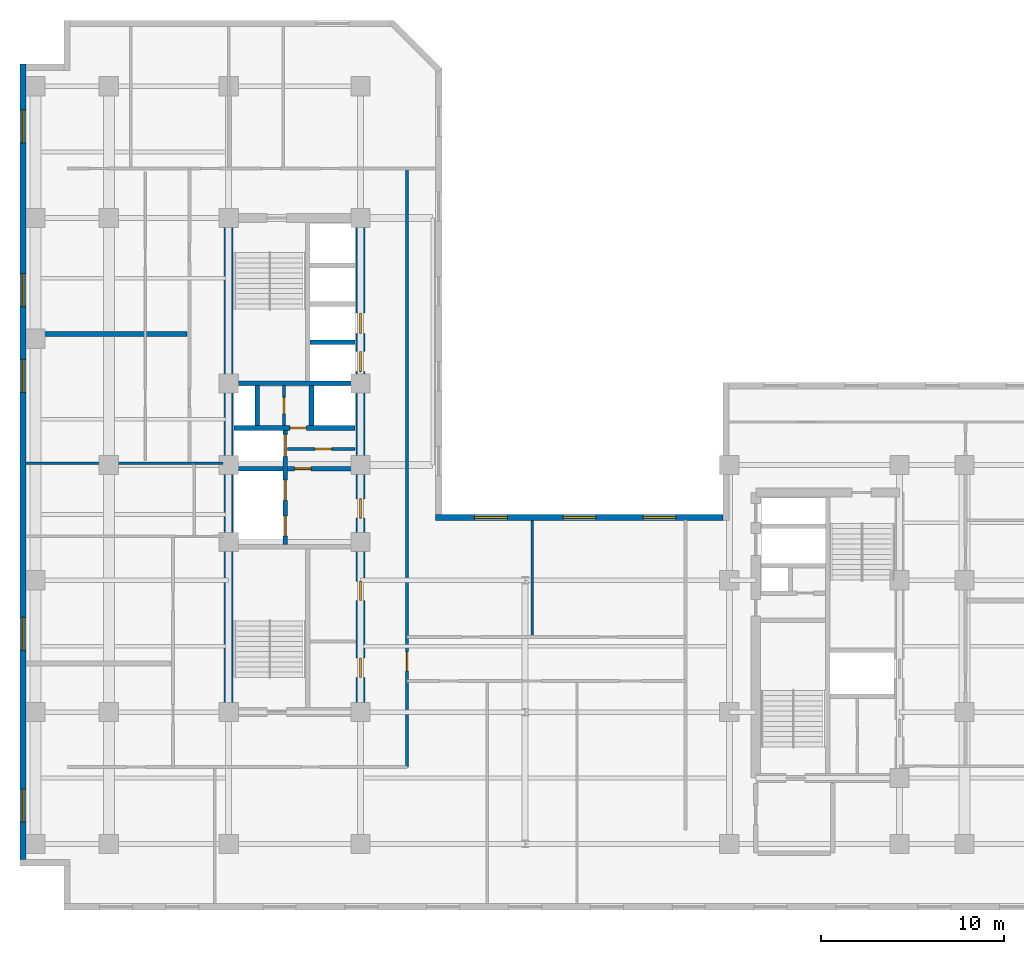
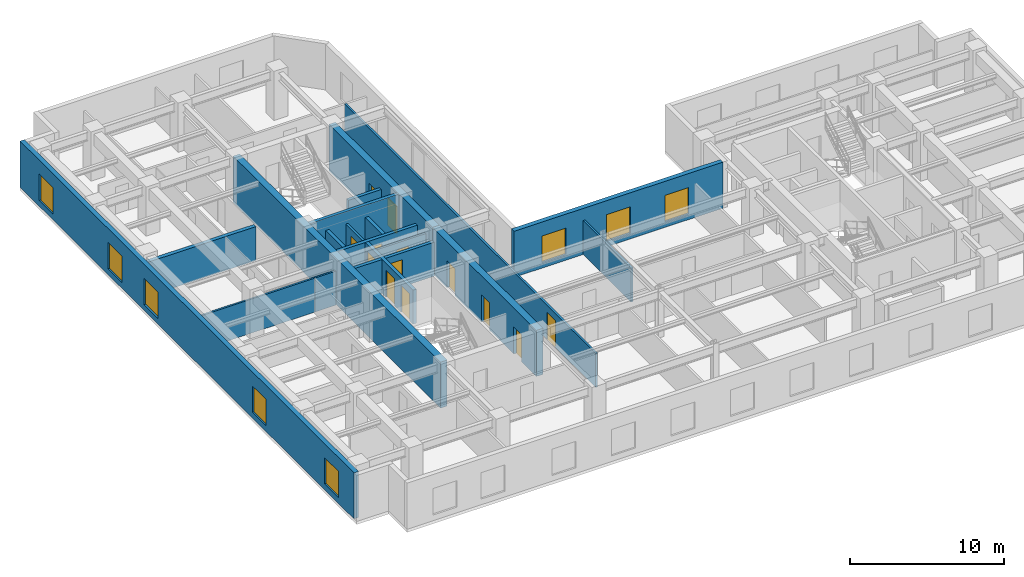
# One storey, part 4 of 10: 19 walls, 13 doors, 8 windows, 21 openings.
"""IFC4 building model written with IfcOpenShell, lengths in metres."""

from ifc_helpers import new_model, entity, si_unit, converted_unit, direction, frame, origin_with_axes, origin_2d_with_axis, place, context, subcontext, project, spatial, polyline, rectangle, outline, extrude, material, layer, layer_set, type_object, element, fill, save


model = new_model("IFC4")

# Units and contexts
model_context = context("Model", 3, precision=1e-05, world=origin_with_axes(), true_north=direction((0.0, 1.0)))
body_context = subcontext(model_context, "Body", "Model", "MODEL_VIEW")
ifc_project = project(units=[si_unit("LENGTHUNIT", "METRE"), si_unit("AREAUNIT", "SQUARE_METRE"), si_unit("VOLUMEUNIT", "CUBIC_METRE"), converted_unit("PLANEANGLEUNIT", "DEGREE", entity("IfcPlaneAngleMeasure", 0.017453292519943295), si_unit("PLANEANGLEUNIT", "RADIAN"), dimensions=[0, 0, 0, 0, 0, 0, 0]), si_unit("MASSUNIT", "GRAM", prefix="KILO"), si_unit("THERMODYNAMICTEMPERATUREUNIT", "KELVIN")], contexts=[model_context])

# Site, building, storey
site_placement = place(None, origin_with_axes())
site = spatial("IfcSite", under=ifc_project, at=site_placement, CompositionType="ELEMENT")
building_placement = place(site_placement, origin_with_axes())
building = spatial("IfcBuilding", under=site, at=building_placement, Name="Varnlund Millrace Tower", CompositionType="ELEMENT")
storey_placement = place(building_placement, frame((0.0, 0.0, 156.3), z_axis=(0.0, 0.0, 1.0), x_axis=(1.0, 0.0, 0.0)))
storey = spatial("IfcBuildingStorey", under=building, at=storey_placement, Name="L38", CompositionType="ELEMENT", Elevation=156.3)

# Wall
ifc_material_1 = material(Name="Concrete C70/85", Category="concrete")
ifc_layer_1 = layer(ifc_material_1, 0.5, Name="Concrete C70/85")
ifc_layer_set_1 = layer_set([ifc_layer_1], Name="Concrete C70/85")
wall_type_1 = type_object("IfcWallType", Name="Type-CoreWall-Shear-500-C70", PredefinedType="SHEAR", material=ifc_layer_set_1)
wall_1_placement = place(storey_placement, frame((11.4, 10.8, 0.0), z_axis=(0.0, 0.0, 1.0), x_axis=(0.0, 1.0, 0.0)))
element("IfcWall", 1, at=wall_1_placement, inside=storey, type_object=wall_type_1, Name="Type-CoreWall-Shear-500-C70", PredefinedType="SHEAR", context=body_context, shape_type="SweptSolid", body=[
    extrude(outline(polyline([(0.0, -0.25), (27.0, -0.25), (27.0, 0.25), (0.0, 0.25), (0.0, -0.25)])), origin_with_axes(), (0.0, 0.0, 1.0), 3.66),
])

# Wall, openings, doors
wall_2_placement = place(storey_placement, frame((18.6, 10.8, 0.0), z_axis=(0.0, 0.0, 1.0), x_axis=(0.0, 1.0, 0.0)))
wall_2 = element("IfcWall", 2, at=wall_2_placement, inside=storey, type_object=wall_type_1, Name="Type-CoreWall-Shear-500-C70", PredefinedType="SHEAR", context=body_context, shape_type="SweptSolid", body=[
    extrude(outline(polyline([(0.0, -0.25), (13.5, -0.25), (13.5, 0.25), (0.0, 0.25), (0.0, -0.25)])), origin_with_axes(), (0.0, 0.0, 1.0), 3.66),
])
opening_1_placement = place(wall_2_placement, frame((11.125, 0.0, 0.0), z_axis=(0.0, 0.0, 1.0), x_axis=(1.0, 0.0, 0.0)))
opening_1 = element("IfcOpeningElement", 3, at=opening_1_placement, cuts=wall_2, Name="Opening L38:DR-FFLOB-A", PredefinedType="OPENING", context=body_context, shape_type="SweptSolid", body=[
    extrude(rectangle(XDim=1.05, YDim=0.52, at=origin_2d_with_axis()), origin_with_axes(), (0.0, 0.0, 1.0), 2.15),
])
opening_2_placement = place(wall_2_placement, frame((2.425, 0.0, 0.0), z_axis=(0.0, 0.0, 1.0), x_axis=(1.0, 0.0, 0.0)))
opening_2 = element("IfcOpeningElement", 4, at=opening_2_placement, cuts=wall_2, Name="Opening L38:DR-RECL-A1-1", PredefinedType="OPENING", context=body_context, shape_type="SweptSolid", body=[
    extrude(rectangle(XDim=1.05, YDim=0.52, at=origin_2d_with_axis()), origin_with_axes(), (0.0, 0.0, 1.0), 2.15),
])
opening_3_placement = place(wall_2_placement, frame((6.625, 0.0, 0.0), z_axis=(0.0, 0.0, 1.0), x_axis=(1.0, 0.0, 0.0)))
opening_3 = element("IfcOpeningElement", 5, at=opening_3_placement, cuts=wall_2, Name="Opening L38:DR-RECL-A1-2", PredefinedType="OPENING", context=body_context, shape_type="SweptSolid", body=[
    extrude(rectangle(XDim=1.05, YDim=0.52, at=origin_2d_with_axis()), origin_with_axes(), (0.0, 0.0, 1.0), 2.15),
])
ifc_material_2 = material(Name="Smoke-barrier hollow steel fire door", Category="steel")
door_type_1 = type_object("IfcDoorType", Name="Type-FireDoor-Lobby-1050X2150", OperationType="NOTDEFINED", PredefinedType="DOOR", material=ifc_material_2)
door_1_placement = place(wall_2_placement, frame((11.125, 0.0, 0.0), z_axis=(0.0, 0.0, 1.0), x_axis=(1.0, 0.0, 0.0)))
door_1 = element("IfcDoor", 6, at=door_1_placement, inside=storey, type_object=door_type_1, Name="Type-FireDoor-Lobby-1050X2150", OperationType="SINGLE_SWING_LEFT", OverallHeight=2.15, OverallWidth=1.05, PredefinedType="DOOR", context=body_context, shape_type="SweptSolid", body=[
    extrude(rectangle(XDim=1.05, YDim=0.09, at=origin_2d_with_axis()), origin_with_axes(), (0.0, 0.0, 1.0), 2.15),
])
fill(opening_1, door_1)
door_2_placement = place(wall_2_placement, frame((2.425, 0.0, 0.0), z_axis=(0.0, 0.0, 1.0), x_axis=(1.0, 0.0, 0.0)))
door_2 = element("IfcDoor", 7, at=door_2_placement, inside=storey, type_object=door_type_1, Name="Type-FireDoor-Lobby-1050X2150", OperationType="SINGLE_SWING_LEFT", OverallHeight=2.15, OverallWidth=1.05, PredefinedType="DOOR", context=body_context, shape_type="SweptSolid", body=[
    extrude(rectangle(XDim=1.05, YDim=0.09, at=origin_2d_with_axis()), origin_with_axes(), (0.0, 0.0, 1.0), 2.15),
])
fill(opening_2, door_2)
door_3_placement = place(wall_2_placement, frame((6.625, 0.0, 0.0), z_axis=(0.0, 0.0, 1.0), x_axis=(1.0, 0.0, 0.0)))
door_3 = element("IfcDoor", 8, at=door_3_placement, inside=storey, type_object=door_type_1, Name="Type-FireDoor-Lobby-1050X2150", OperationType="SINGLE_SWING_RIGHT", OverallHeight=2.15, OverallWidth=1.05, PredefinedType="DOOR", context=body_context, shape_type="SweptSolid", body=[
    extrude(rectangle(XDim=1.05, YDim=0.09, at=origin_2d_with_axis()), origin_with_axes(), (0.0, 0.0, 1.0), 2.15),
])
fill(opening_3, door_3)

wall_3_placement = place(storey_placement, frame((18.6, 24.3, 0.0), z_axis=(0.0, 0.0, 1.0), x_axis=(0.0, 1.0, 0.0)))
wall_3 = element("IfcWall", 9, at=wall_3_placement, inside=storey, type_object=wall_type_1, Name="Type-CoreWall-Shear-500-C70", PredefinedType="SHEAR", context=body_context, shape_type="SweptSolid", body=[
    extrude(outline(polyline([(0.0, -0.25), (13.5, -0.25), (13.5, 0.25), (0.0, 0.25), (0.0, -0.25)])), origin_with_axes(), (0.0, 0.0, 1.0), 3.66),
])
opening_4_placement = place(wall_3_placement, frame((5.65, 0.0, 0.0), z_axis=(0.0, 0.0, 1.0), x_axis=(1.0, 0.0, 0.0)))
opening_4 = element("IfcOpeningElement", 10, at=opening_4_placement, cuts=wall_3, Name="Opening L38:LD-ELV-M1", PredefinedType="OPENING", context=body_context, shape_type="SweptSolid", body=[
    extrude(rectangle(XDim=1.1, YDim=0.52, at=origin_2d_with_axis()), origin_with_axes(), (0.0, 0.0, 1.0), 2.15),
])
opening_5_placement = place(wall_3_placement, frame((7.75, 0.0, 0.0), z_axis=(0.0, 0.0, 1.0), x_axis=(1.0, 0.0, 0.0)))
opening_5 = element("IfcOpeningElement", 11, at=opening_5_placement, cuts=wall_3, Name="Opening L38:LD-ELV-M2", PredefinedType="OPENING", context=body_context, shape_type="SweptSolid", body=[
    extrude(rectangle(XDim=1.1, YDim=0.52, at=origin_2d_with_axis()), origin_with_axes(), (0.0, 0.0, 1.0), 2.15),
])
ifc_material_3 = material(Name="Stainless and architectural bronze sliding landing door")
door_type_2 = type_object("IfcDoorType", Name="Type-LiftLandingDoor-1100X2150", OperationType="NOTDEFINED", PredefinedType="DOOR", material=ifc_material_3)
door_4_placement = place(wall_3_placement, frame((5.65, 0.0, 0.0), z_axis=(0.0, 0.0, 1.0), x_axis=(1.0, 0.0, 0.0)))
door_4 = element("IfcDoor", 12, at=door_4_placement, inside=storey, type_object=door_type_2, Name="Type-LiftLandingDoor-1100X2150", OperationType="SLIDING_TO_LEFT", OverallHeight=2.15, OverallWidth=1.1, PredefinedType="DOOR", context=body_context, shape_type="SweptSolid", body=[
    extrude(rectangle(XDim=1.1, YDim=0.09, at=origin_2d_with_axis()), origin_with_axes(), (0.0, 0.0, 1.0), 2.15),
])
fill(opening_4, door_4)
door_5_placement = place(wall_3_placement, frame((7.75, 0.0, 0.0), z_axis=(0.0, 0.0, 1.0), x_axis=(1.0, 0.0, 0.0)))
door_5 = element("IfcDoor", 13, at=door_5_placement, inside=storey, type_object=door_type_2, Name="Type-LiftLandingDoor-1100X2150", OperationType="SLIDING_TO_RIGHT", OverallHeight=2.15, OverallWidth=1.1, PredefinedType="DOOR", context=body_context, shape_type="SweptSolid", body=[
    extrude(rectangle(XDim=1.1, YDim=0.09, at=origin_2d_with_axis()), origin_with_axes(), (0.0, 0.0, 1.0), 2.15),
])
fill(opening_5, door_5)

# Wall, openings, windows
ifc_material_4 = material(Name="Precast concrete C50/60", Category="concrete")
ifc_layer_2 = layer(ifc_material_4, 0.34, Name="Precast concrete C50/60")
ifc_layer_set_2 = layer_set([ifc_layer_2], Name="Precast concrete C50/60")
wall_type_2 = type_object("IfcWallType", Name="Type-ExtWall-Precast-Upper-340", PredefinedType="SOLIDWALL", material=ifc_layer_set_2)
wall_4_placement = place(storey_placement, frame((0.17, 2.74, 0.0), z_axis=(0.0, 0.0, 1.0), x_axis=(0.0, 1.0, 0.0)))
wall_4 = element("IfcWall", 14, at=wall_4_placement, inside=storey, type_object=wall_type_2, Name="Type-ExtWall-Precast-Upper-340", PredefinedType="SOLIDWALL", context=body_context, shape_type="SweptSolid", body=[
    extrude(outline(polyline([(0.0, -0.17), (43.46, -0.17), (43.46, 0.17), (0.0, 0.17), (0.0, -0.17)])), origin_with_axes(), (0.0, 0.0, 1.0), 3.66),
])
opening_6_placement = place(wall_4_placement, frame((2.948, 0.0, 0.45), z_axis=(0.0, 0.0, 1.0), x_axis=(1.0, 0.0, 0.0)))
opening_6 = element("IfcOpeningElement", 15, at=opening_6_placement, cuts=wall_4, Name="Opening L38:WN-19", PredefinedType="OPENING", context=body_context, shape_type="SweptSolid", body=[
    extrude(rectangle(XDim=1.8, YDim=0.36, at=origin_2d_with_axis()), origin_with_axes(), (0.0, 0.0, 1.0), 2.1),
])
opening_7_placement = place(wall_4_placement, frame((12.339, 0.0, 0.45), z_axis=(0.0, 0.0, 1.0), x_axis=(1.0, 0.0, 0.0)))
opening_7 = element("IfcOpeningElement", 16, at=opening_7_placement, cuts=wall_4, Name="Opening L38:WN-20", PredefinedType="OPENING", context=body_context, shape_type="SweptSolid", body=[
    extrude(rectangle(XDim=1.8, YDim=0.36, at=origin_2d_with_axis()), origin_with_axes(), (0.0, 0.0, 1.0), 2.1),
])
opening_8_placement = place(wall_4_placement, frame((26.426, 0.0, 0.45), z_axis=(0.0, 0.0, 1.0), x_axis=(1.0, 0.0, 0.0)))
opening_8 = element("IfcOpeningElement", 17, at=opening_8_placement, cuts=wall_4, Name="Opening L38:WN-21", PredefinedType="OPENING", context=body_context, shape_type="SweptSolid", body=[
    extrude(rectangle(XDim=1.8, YDim=0.36, at=origin_2d_with_axis()), origin_with_axes(), (0.0, 0.0, 1.0), 2.1),
])
opening_9_placement = place(wall_4_placement, frame((31.121, 0.0, 0.45), z_axis=(0.0, 0.0, 1.0), x_axis=(1.0, 0.0, 0.0)))
opening_9 = element("IfcOpeningElement", 18, at=opening_9_placement, cuts=wall_4, Name="Opening L38:WN-22", PredefinedType="OPENING", context=body_context, shape_type="SweptSolid", body=[
    extrude(rectangle(XDim=1.8, YDim=0.36, at=origin_2d_with_axis()), origin_with_axes(), (0.0, 0.0, 1.0), 2.1),
])
opening_10_placement = place(wall_4_placement, frame((40.062, 0.0, 0.45), z_axis=(0.0, 0.0, 1.0), x_axis=(1.0, 0.0, 0.0)))
opening_10 = element("IfcOpeningElement", 19, at=opening_10_placement, cuts=wall_4, Name="Opening L38:WN-23", PredefinedType="OPENING", context=body_context, shape_type="SweptSolid", body=[
    extrude(rectangle(XDim=1.8, YDim=0.36, at=origin_2d_with_axis()), origin_with_axes(), (0.0, 0.0, 1.0), 2.1),
])
ifc_material_5 = material(Name="Argon low-e triple glazing in thermally broken bronze frame", Category="glass")
window_type = type_object("IfcWindowType", Name="Type-Window-Punched-1800X2100", PartitioningType="SINGLE_PANEL", PredefinedType="WINDOW", material=ifc_material_5)
window_1_placement = place(wall_4_placement, frame((2.948, 0.0, 0.45), z_axis=(0.0, 0.0, 1.0), x_axis=(1.0, 0.0, 0.0)))
window_1 = element("IfcWindow", 20, at=window_1_placement, inside=storey, type_object=window_type, Name="Type-Window-Punched-1800X2100", OverallHeight=2.1, OverallWidth=1.8, PredefinedType="WINDOW", context=body_context, shape_type="SweptSolid", body=[
    extrude(rectangle(XDim=1.8, YDim=0.09, at=origin_2d_with_axis()), origin_with_axes(), (0.0, 0.0, 1.0), 2.1),
])
fill(opening_6, window_1)
window_2_placement = place(wall_4_placement, frame((12.339, 0.0, 0.45), z_axis=(0.0, 0.0, 1.0), x_axis=(1.0, 0.0, 0.0)))
window_2 = element("IfcWindow", 21, at=window_2_placement, inside=storey, type_object=window_type, Name="Type-Window-Punched-1800X2100", OverallHeight=2.1, OverallWidth=1.8, PredefinedType="WINDOW", context=body_context, shape_type="SweptSolid", body=[
    extrude(rectangle(XDim=1.8, YDim=0.09, at=origin_2d_with_axis()), origin_with_axes(), (0.0, 0.0, 1.0), 2.1),
])
fill(opening_7, window_2)
window_3_placement = place(wall_4_placement, frame((26.426, 0.0, 0.45), z_axis=(0.0, 0.0, 1.0), x_axis=(1.0, 0.0, 0.0)))
window_3 = element("IfcWindow", 22, at=window_3_placement, inside=storey, type_object=window_type, Name="Type-Window-Punched-1800X2100", OverallHeight=2.1, OverallWidth=1.8, PredefinedType="WINDOW", context=body_context, shape_type="SweptSolid", body=[
    extrude(rectangle(XDim=1.8, YDim=0.09, at=origin_2d_with_axis()), origin_with_axes(), (0.0, 0.0, 1.0), 2.1),
])
fill(opening_8, window_3)
window_4_placement = place(wall_4_placement, frame((31.121, 0.0, 0.45), z_axis=(0.0, 0.0, 1.0), x_axis=(1.0, 0.0, 0.0)))
window_4 = element("IfcWindow", 23, at=window_4_placement, inside=storey, type_object=window_type, Name="Type-Window-Punched-1800X2100", OverallHeight=2.1, OverallWidth=1.8, PredefinedType="WINDOW", context=body_context, shape_type="SweptSolid", body=[
    extrude(rectangle(XDim=1.8, YDim=0.09, at=origin_2d_with_axis()), origin_with_axes(), (0.0, 0.0, 1.0), 2.1),
])
fill(opening_9, window_4)
window_5_placement = place(wall_4_placement, frame((40.062, 0.0, 0.45), z_axis=(0.0, 0.0, 1.0), x_axis=(1.0, 0.0, 0.0)))
window_5 = element("IfcWindow", 24, at=window_5_placement, inside=storey, type_object=window_type, Name="Type-Window-Punched-1800X2100", OverallHeight=2.1, OverallWidth=1.8, PredefinedType="WINDOW", context=body_context, shape_type="SweptSolid", body=[
    extrude(rectangle(XDim=1.8, YDim=0.09, at=origin_2d_with_axis()), origin_with_axes(), (0.0, 0.0, 1.0), 2.1),
])
fill(opening_10, window_5)

wall_5_placement = place(storey_placement, frame((22.712, 21.43, 0.0), z_axis=(0.0, 0.0, 1.0), x_axis=(1.0, 0.0, 0.0)))
wall_5 = element("IfcWall", 25, at=wall_5_placement, inside=storey, type_object=wall_type_2, Name="Type-ExtWall-Precast-Upper-340", PredefinedType="SOLIDWALL", context=body_context, shape_type="SweptSolid", body=[
    extrude(outline(polyline([(0.0, -0.17), (15.688, -0.17), (15.688, 0.17), (0.0, 0.17), (0.0, -0.17)])), origin_with_axes(), (0.0, 0.0, 1.0), 3.66),
])
opening_11_placement = place(wall_5_placement, frame((3.015, 0.0, 0.45), z_axis=(0.0, 0.0, 1.0), x_axis=(1.0, 0.0, 0.0)))
opening_11 = element("IfcOpeningElement", 26, at=opening_11_placement, cuts=wall_5, Name="Opening L38:WN-30", PredefinedType="OPENING", context=body_context, shape_type="SweptSolid", body=[
    extrude(rectangle(XDim=1.8, YDim=0.36, at=origin_2d_with_axis()), origin_with_axes(), (0.0, 0.0, 1.0), 2.1),
])
opening_12_placement = place(wall_5_placement, frame((7.844, 0.0, 0.45), z_axis=(0.0, 0.0, 1.0), x_axis=(1.0, 0.0, 0.0)))
opening_12 = element("IfcOpeningElement", 27, at=opening_12_placement, cuts=wall_5, Name="Opening L38:WN-31", PredefinedType="OPENING", context=body_context, shape_type="SweptSolid", body=[
    extrude(rectangle(XDim=1.8, YDim=0.36, at=origin_2d_with_axis()), origin_with_axes(), (0.0, 0.0, 1.0), 2.1),
])
opening_13_placement = place(wall_5_placement, frame((12.223, 0.0, 0.45), z_axis=(0.0, 0.0, 1.0), x_axis=(1.0, 0.0, 0.0)))
opening_13 = element("IfcOpeningElement", 28, at=opening_13_placement, cuts=wall_5, Name="Opening L38:WN-32", PredefinedType="OPENING", context=body_context, shape_type="SweptSolid", body=[
    extrude(rectangle(XDim=1.8, YDim=0.36, at=origin_2d_with_axis()), origin_with_axes(), (0.0, 0.0, 1.0), 2.1),
])
window_6_placement = place(wall_5_placement, frame((3.015, 0.0, 0.45), z_axis=(0.0, 0.0, 1.0), x_axis=(1.0, 0.0, 0.0)))
window_6 = element("IfcWindow", 29, at=window_6_placement, inside=storey, type_object=window_type, Name="Type-Window-Punched-1800X2100", OverallHeight=2.1, OverallWidth=1.8, PredefinedType="WINDOW", context=body_context, shape_type="SweptSolid", body=[
    extrude(rectangle(XDim=1.8, YDim=0.09, at=origin_2d_with_axis()), origin_with_axes(), (0.0, 0.0, 1.0), 2.1),
])
fill(opening_11, window_6)
window_7_placement = place(wall_5_placement, frame((7.844, 0.0, 0.45), z_axis=(0.0, 0.0, 1.0), x_axis=(1.0, 0.0, 0.0)))
window_7 = element("IfcWindow", 30, at=window_7_placement, inside=storey, type_object=window_type, Name="Type-Window-Punched-1800X2100", OverallHeight=2.1, OverallWidth=1.8, PredefinedType="WINDOW", context=body_context, shape_type="SweptSolid", body=[
    extrude(rectangle(XDim=1.8, YDim=0.09, at=origin_2d_with_axis()), origin_with_axes(), (0.0, 0.0, 1.0), 2.1),
])
fill(opening_12, window_7)
window_8_placement = place(wall_5_placement, frame((12.223, 0.0, 0.45), z_axis=(0.0, 0.0, 1.0), x_axis=(1.0, 0.0, 0.0)))
window_8 = element("IfcWindow", 31, at=window_8_placement, inside=storey, type_object=window_type, Name="Type-Window-Punched-1800X2100", OverallHeight=2.1, OverallWidth=1.8, PredefinedType="WINDOW", context=body_context, shape_type="SweptSolid", body=[
    extrude(rectangle(XDim=1.8, YDim=0.09, at=origin_2d_with_axis()), origin_with_axes(), (0.0, 0.0, 1.0), 2.1),
])
fill(opening_13, window_8)

# Wall
ifc_material_6 = material(Name="Double-stud STC-60 conference acoustic partition", Category="gypsum")
ifc_layer_3 = layer(ifc_material_6, 0.28, Name="Double-stud STC-60 conference acoustic partition")
ifc_layer_set_3 = layer_set([ifc_layer_3], Name="Double-stud STC-60 conference acoustic partition")
wall_type_3 = type_object("IfcWallType", Name="Type-Partition-Acoustic-280", PredefinedType="PARTITIONING", material=ifc_layer_set_3)
wall_6_placement = place(storey_placement, frame((0.335, 31.455, 0.0), z_axis=(0.0, 0.0, 1.0), x_axis=(1.0, 0.0, 0.0)))
element("IfcWall", 32, at=wall_6_placement, inside=storey, type_object=wall_type_3, Name="Type-Partition-Acoustic-280", PredefinedType="PARTITIONING", context=body_context, shape_type="SweptSolid", body=[
    extrude(outline(polyline([(0.0, -0.14), (8.795, -0.14), (8.795, 0.14), (0.0, 0.14), (0.0, -0.14)])), origin_with_axes(), (0.0, 0.0, 1.0), 2.7),
])

# Wall, opening, door
ifc_material_7 = material(Name="Fire-rated gypsum board on cold-formed steel framing", Category="steel")
ifc_layer_4 = layer(ifc_material_7, 0.16, Name="Fire-rated gypsum board on cold-formed steel framing")
ifc_layer_set_4 = layer_set([ifc_layer_4], Name="Fire-rated gypsum board on cold-formed steel framing")
wall_type_4 = type_object("IfcWallType", Name="Type-Partition-Corridor-160", PredefinedType="PARTITIONING", material=ifc_layer_set_4)
wall_7_placement = place(storey_placement, frame((14.62, 25.18, 0.0), z_axis=(0.0, 0.0, 1.0), x_axis=(1.0, 0.0, 0.0)))
wall_7 = element("IfcWall", 33, at=wall_7_placement, inside=storey, type_object=wall_type_4, Name="Type-Partition-Corridor-160", PredefinedType="PARTITIONING", context=body_context, shape_type="SweptSolid", body=[
    extrude(outline(polyline([(0.0, -0.08), (3.68, -0.08), (3.68, 0.08), (0.0, 0.08), (0.0, -0.08)])), origin_with_axes(), (0.0, 0.0, 1.0), 2.7),
])
opening_14_placement = place(wall_7_placement, frame((1.95, 0.0, 0.0), z_axis=(0.0, 0.0, 1.0), x_axis=(1.0, 0.0, 0.0)))
opening_14 = element("IfcOpeningElement", 34, at=opening_14_placement, cuts=wall_7, Name="Opening L38:DR-CA-SUB2", PredefinedType="OPENING", context=body_context, shape_type="SweptSolid", body=[
    extrude(rectangle(XDim=0.9, YDim=0.18, at=origin_2d_with_axis()), origin_with_axes(), (0.0, 0.0, 1.0), 2.15),
])
ifc_material_8 = material(Name="Painted steel riser and closet door", Category="steel")
door_type_3 = type_object("IfcDoorType", Name="Type-IntDoor-Closet-900X2150", OperationType="NOTDEFINED", PredefinedType="DOOR", material=ifc_material_8)
door_6_placement = place(wall_7_placement, frame((1.95, 0.0, 0.0), z_axis=(0.0, 0.0, 1.0), x_axis=(1.0, 0.0, 0.0)))
door_6 = element("IfcDoor", 35, at=door_6_placement, inside=storey, type_object=door_type_3, Name="Type-IntDoor-Closet-900X2150", OperationType="SINGLE_SWING_LEFT", OverallHeight=2.15, OverallWidth=0.9, PredefinedType="DOOR", context=body_context, shape_type="SweptSolid", body=[
    extrude(rectangle(XDim=0.9, YDim=0.09, at=origin_2d_with_axis()), origin_with_axes(), (0.0, 0.0, 1.0), 2.15),
])
fill(opening_14, door_6)

wall_8_placement = place(storey_placement, frame((14.42, 26.45, 0.0), z_axis=(0.0, 0.0, 1.0), x_axis=(0.0, 1.0, 0.0)))
wall_8 = element("IfcWall", 36, at=wall_8_placement, inside=storey, type_object=wall_type_4, Name="Type-Partition-Corridor-160", PredefinedType="PARTITIONING", context=body_context, shape_type="SweptSolid", body=[
    extrude(outline(polyline([(0.0, -0.08), (2.2, -0.08), (2.2, 0.08), (0.0, 0.08), (0.0, -0.08)])), origin_with_axes(), (0.0, 0.0, 1.0), 2.7),
])
opening_15_placement = place(wall_8_placement, frame((1.1, 0.0, 0.0), z_axis=(0.0, 0.0, 1.0), x_axis=(1.0, 0.0, 0.0)))
opening_15 = element("IfcOpeningElement", 37, at=opening_15_placement, cuts=wall_8, Name="Opening L38:DR-CA-EL2", PredefinedType="OPENING", context=body_context, shape_type="SweptSolid", body=[
    extrude(rectangle(XDim=0.9, YDim=0.18, at=origin_2d_with_axis()), origin_with_axes(), (0.0, 0.0, 1.0), 2.15),
])
door_7_placement = place(wall_8_placement, frame((1.1, 0.0, 0.0), z_axis=(0.0, 0.0, 1.0), x_axis=(1.0, 0.0, 0.0)))
door_7 = element("IfcDoor", 38, at=door_7_placement, inside=storey, type_object=door_type_3, Name="Type-IntDoor-Closet-900X2150", OperationType="SINGLE_SWING_LEFT", OverallHeight=2.15, OverallWidth=0.9, PredefinedType="DOOR", context=body_context, shape_type="SweptSolid", body=[
    extrude(rectangle(XDim=0.9, YDim=0.09, at=origin_2d_with_axis()), origin_with_axes(), (0.0, 0.0, 1.0), 2.15),
])
fill(opening_15, door_7)

wall_9_placement = place(storey_placement, frame((21.15, 7.8, 0.0), z_axis=(0.0, 0.0, 1.0), x_axis=(0.0, 1.0, 0.0)))
wall_9 = element("IfcWall", 39, at=wall_9_placement, inside=storey, type_object=wall_type_4, Name="Type-Partition-Corridor-160", PredefinedType="PARTITIONING", context=body_context, shape_type="SweptSolid", body=[
    extrude(outline(polyline([(0.0, -0.08), (32.7, -0.08), (32.7, 0.08), (0.0, 0.08), (0.0, -0.08)])), origin_with_axes(), (0.0, 0.0, 1.0), 2.7),
])
opening_16_placement = place(wall_9_placement, frame((5.775, 0.0, 0.0), z_axis=(0.0, 0.0, 1.0), x_axis=(1.0, 0.0, 0.0)))
opening_16 = element("IfcOpeningElement", 40, at=opening_16_placement, cuts=wall_9, Name="Opening L38:DR-KN-W", PredefinedType="OPENING", context=body_context, shape_type="SweptSolid", body=[
    extrude(rectangle(XDim=1.05, YDim=0.18, at=origin_2d_with_axis()), origin_with_axes(), (0.0, 0.0, 1.0), 2.15),
])
door_8_placement = place(wall_9_placement, frame((5.775, 0.0, 0.0), z_axis=(0.0, 0.0, 1.0), x_axis=(1.0, 0.0, 0.0)))
door_8 = element("IfcDoor", 41, at=door_8_placement, inside=storey, type_object=door_type_1, Name="Type-FireDoor-Lobby-1050X2150", OperationType="SINGLE_SWING_LEFT", OverallHeight=2.15, OverallWidth=1.05, PredefinedType="DOOR", context=body_context, shape_type="SweptSolid", body=[
    extrude(rectangle(XDim=1.05, YDim=0.09, at=origin_2d_with_axis()), origin_with_axes(), (0.0, 0.0, 1.0), 2.15),
])
fill(opening_16, door_8)

# Walls
ifc_material_9 = material(Name="Acoustic STC-50 gypsum board partition", Category="gypsum")
ifc_layer_5 = layer(ifc_material_9, 0.15, Name="Acoustic STC-50 gypsum board partition")
ifc_layer_set_5 = layer_set([ifc_layer_5], Name="Acoustic STC-50 gypsum board partition")
wall_type_5 = type_object("IfcWallType", Name="Type-Partition-Demising-150", PredefinedType="PARTITIONING", material=ifc_layer_set_5)
wall_10_placement = place(storey_placement, frame((27.983, 15.02, 0.0), z_axis=(0.0, 0.0, 1.0), x_axis=(0.0, 1.0, 0.0)))
element("IfcWall", 42, at=wall_10_placement, inside=storey, type_object=wall_type_5, Name="Type-Partition-Demising-150", PredefinedType="PARTITIONING", context=body_context, shape_type="SweptSolid", body=[
    extrude(outline(polyline([(0.0, -0.075), (6.245, -0.075), (6.245, 0.075), (0.0, 0.075), (0.0, -0.075)])), origin_with_axes(), (0.0, 0.0, 1.0), 2.7),
])
ifc_material_10 = material(Name="Moisture-resistant gypsum restroom partition", Category="gypsum")
ifc_layer_6 = layer(ifc_material_10, 0.14, Name="Moisture-resistant gypsum restroom partition")
ifc_layer_set_6 = layer_set([ifc_layer_6], Name="Moisture-resistant gypsum restroom partition")
wall_type_6 = type_object("IfcWallType", Name="Type-Partition-Wet-140", PredefinedType="PARTITIONING", material=ifc_layer_set_6)
wall_11_placement = place(storey_placement, frame((9.52, 24.4, 0.0), z_axis=(0.0, 0.0, 1.0), x_axis=(1.0, 0.0, 0.0)))
element("IfcWall", 43, at=wall_11_placement, inside=storey, type_object=wall_type_6, Name="Type-Partition-Wet-140", PredefinedType="PARTITIONING", context=body_context, shape_type="SweptSolid", body=[
    extrude(outline(polyline([(0.0, -0.07), (1.58, -0.07), (1.58, 0.07), (0.0, 0.07), (0.0, -0.07)])), origin_with_axes(), (0.0, 0.0, 1.0), 2.7),
])
wall_12_placement = place(storey_placement, frame((0.335, 24.4, 0.0), z_axis=(0.0, 0.0, 1.0), x_axis=(1.0, 0.0, 0.0)))
element("IfcWall", 44, at=wall_12_placement, inside=storey, type_object=wall_type_6, Name="Type-Partition-Wet-140", PredefinedType="PARTITIONING", context=body_context, shape_type="SweptSolid", body=[
    extrude(outline(polyline([(0.0, -0.07), (9.185, -0.07), (9.185, 0.07), (0.0, 0.07), (0.0, -0.07)])), origin_with_axes(), (0.0, 0.0, 1.0), 2.7),
])

# Wall, openings, doors
ifc_material_11 = material(Name="Concrete C60/75", Category="concrete")
ifc_layer_7 = layer(ifc_material_11, 0.25, Name="Concrete C60/75")
ifc_layer_set_7 = layer_set([ifc_layer_7], Name="Concrete C60/75")
wall_type_7 = type_object("IfcWallType", Name="Type-ShaftWall-Fire-250", PredefinedType="SOLIDWALL", material=ifc_layer_set_7)
wall_13_placement = place(storey_placement, frame((14.5, 19.95, 0.0), z_axis=(0.0, 0.0, 1.0), x_axis=(0.0, 1.0, 0.0)))
wall_13 = element("IfcWall", 45, at=wall_13_placement, inside=storey, type_object=wall_type_7, Name="Type-ShaftWall-Fire-250", PredefinedType="SOLIDWALL", context=body_context, shape_type="SweptSolid", body=[
    extrude(outline(polyline([(0.0, -0.125), (6.25, -0.125), (6.25, 0.125), (0.0, 0.125), (0.0, -0.125)])), origin_with_axes(), (0.0, 0.0, 1.0), 2.7),
])
opening_17_placement = place(wall_13_placement, frame((1.025, 0.0, 0.0), z_axis=(0.0, 0.0, 1.0), x_axis=(1.0, 0.0, 0.0)))
opening_17 = element("IfcOpeningElement", 46, at=opening_17_placement, cuts=wall_13, Name="Opening L38:LD-FSAE1", PredefinedType="OPENING", context=body_context, shape_type="SweptSolid", body=[
    extrude(rectangle(XDim=1.1, YDim=0.27, at=origin_2d_with_axis()), origin_with_axes(), (0.0, 0.0, 1.0), 2.15),
])
opening_18_placement = place(wall_13_placement, frame((2.975, 0.0, 0.0), z_axis=(0.0, 0.0, 1.0), x_axis=(1.0, 0.0, 0.0)))
opening_18 = element("IfcOpeningElement", 47, at=opening_18_placement, cuts=wall_13, Name="Opening L38:LD-FSAE2", PredefinedType="OPENING", context=body_context, shape_type="SweptSolid", body=[
    extrude(rectangle(XDim=1.1, YDim=0.27, at=origin_2d_with_axis()), origin_with_axes(), (0.0, 0.0, 1.0), 2.15),
])
opening_19_placement = place(wall_13_placement, frame((5.425, 0.0, 0.0), z_axis=(0.0, 0.0, 1.0), x_axis=(1.0, 0.0, 0.0)))
opening_19 = element("IfcOpeningElement", 48, at=opening_19_placement, cuts=wall_13, Name="Opening L38:LD-SRV1", PredefinedType="OPENING", context=body_context, shape_type="SweptSolid", body=[
    extrude(rectangle(XDim=1.2, YDim=0.27, at=origin_2d_with_axis()), origin_with_axes(), (0.0, 0.0, 1.0), 2.15),
])
door_9_placement = place(wall_13_placement, frame((1.025, 0.0, 0.0), z_axis=(0.0, 0.0, 1.0), x_axis=(1.0, 0.0, 0.0)))
door_9 = element("IfcDoor", 49, at=door_9_placement, inside=storey, type_object=door_type_2, Name="Type-LiftLandingDoor-1100X2150", OperationType="SLIDING_TO_LEFT", OverallHeight=2.15, OverallWidth=1.1, PredefinedType="DOOR", context=body_context, shape_type="SweptSolid", body=[
    extrude(rectangle(XDim=1.1, YDim=0.09, at=origin_2d_with_axis()), origin_with_axes(), (0.0, 0.0, 1.0), 2.15),
])
fill(opening_17, door_9)
door_10_placement = place(wall_13_placement, frame((2.975, 0.0, 0.0), z_axis=(0.0, 0.0, 1.0), x_axis=(1.0, 0.0, 0.0)))
door_10 = element("IfcDoor", 50, at=door_10_placement, inside=storey, type_object=door_type_2, Name="Type-LiftLandingDoor-1100X2150", OperationType="SLIDING_TO_RIGHT", OverallHeight=2.15, OverallWidth=1.1, PredefinedType="DOOR", context=body_context, shape_type="SweptSolid", body=[
    extrude(rectangle(XDim=1.1, YDim=0.09, at=origin_2d_with_axis()), origin_with_axes(), (0.0, 0.0, 1.0), 2.15),
])
fill(opening_18, door_10)
ifc_material_12 = material(Name="Heavy-duty freight sliding landing door")
door_type_4 = type_object("IfcDoorType", Name="Type-LiftLandingDoor-Service-1200X2150", OperationType="NOTDEFINED", PredefinedType="DOOR", material=ifc_material_12)
door_11_placement = place(wall_13_placement, frame((5.425, 0.0, 0.0), z_axis=(0.0, 0.0, 1.0), x_axis=(1.0, 0.0, 0.0)))
door_11 = element("IfcDoor", 51, at=door_11_placement, inside=storey, type_object=door_type_4, Name="Type-LiftLandingDoor-Service-1200X2150", OperationType="DOUBLE_DOOR_SLIDING", OverallHeight=2.15, OverallWidth=1.2, PredefinedType="DOOR", context=body_context, shape_type="SweptSolid", body=[
    extrude(rectangle(XDim=1.2, YDim=0.09, at=origin_2d_with_axis()), origin_with_axes(), (0.0, 0.0, 1.0), 2.15),
])
fill(opening_19, door_11)

# Wall, opening, door
wall_14_placement = place(storey_placement, frame((11.7, 24.1, 0.0), z_axis=(0.0, 0.0, 1.0), x_axis=(1.0, 0.0, 0.0)))
wall_14 = element("IfcWall", 52, at=wall_14_placement, inside=storey, type_object=wall_type_7, Name="Type-ShaftWall-Fire-250", PredefinedType="SOLIDWALL", context=body_context, shape_type="SweptSolid", body=[
    extrude(outline(polyline([(0.0, -0.125), (6.6, -0.125), (6.6, 0.125), (0.0, 0.125), (0.0, -0.125)])), origin_with_axes(), (0.0, 0.0, 1.0), 2.7),
])
opening_20_placement = place(wall_14_placement, frame((3.75, 0.0, 0.0), z_axis=(0.0, 0.0, 1.0), x_axis=(1.0, 0.0, 0.0)))
opening_20 = element("IfcOpeningElement", 53, at=opening_20_placement, cuts=wall_14, Name="Opening L38:DR-CA-SUB1", PredefinedType="OPENING", context=body_context, shape_type="SweptSolid", body=[
    extrude(rectangle(XDim=0.9, YDim=0.27, at=origin_2d_with_axis()), origin_with_axes(), (0.0, 0.0, 1.0), 2.15),
])
ifc_material_13 = material(Name="Fire-rated hollow steel service closet door", Category="steel")
door_type_5 = type_object("IfcDoorType", Name="Type-FireDoor-Closet-900X2150", OperationType="NOTDEFINED", PredefinedType="DOOR", material=ifc_material_13)
door_12_placement = place(wall_14_placement, frame((3.75, 0.0, 0.0), z_axis=(0.0, 0.0, 1.0), x_axis=(1.0, 0.0, 0.0)))
door_12 = element("IfcDoor", 54, at=door_12_placement, inside=storey, type_object=door_type_5, Name="Type-FireDoor-Closet-900X2150", OperationType="SINGLE_SWING_LEFT", OverallHeight=2.15, OverallWidth=0.9, PredefinedType="DOOR", context=body_context, shape_type="SweptSolid", body=[
    extrude(rectangle(XDim=0.9, YDim=0.09, at=origin_2d_with_axis()), origin_with_axes(), (0.0, 0.0, 1.0), 2.15),
])
fill(opening_20, door_12)

wall_15_placement = place(storey_placement, frame((11.7, 26.325, 0.0), z_axis=(0.0, 0.0, 1.0), x_axis=(1.0, 0.0, 0.0)))
wall_15 = element("IfcWall", 55, at=wall_15_placement, inside=storey, type_object=wall_type_7, Name="Type-ShaftWall-Fire-250", PredefinedType="SOLIDWALL", context=body_context, shape_type="SweptSolid", body=[
    extrude(outline(polyline([(0.0, -0.125), (6.6, -0.125), (6.6, 0.125), (0.0, 0.125), (0.0, -0.125)])), origin_with_axes(), (0.0, 0.0, 1.0), 2.7),
])
opening_21_placement = place(wall_15_placement, frame((3.5, 0.0, 0.0), z_axis=(0.0, 0.0, 1.0), x_axis=(1.0, 0.0, 0.0)))
opening_21 = element("IfcOpeningElement", 56, at=opening_21_placement, cuts=wall_15, Name="Opening L38:DR-CA-EL1", PredefinedType="OPENING", context=body_context, shape_type="SweptSolid", body=[
    extrude(rectangle(XDim=0.9, YDim=0.27, at=origin_2d_with_axis()), origin_with_axes(), (0.0, 0.0, 1.0), 2.15),
])
door_13_placement = place(wall_15_placement, frame((3.5, 0.0, 0.0), z_axis=(0.0, 0.0, 1.0), x_axis=(1.0, 0.0, 0.0)))
door_13 = element("IfcDoor", 57, at=door_13_placement, inside=storey, type_object=door_type_5, Name="Type-FireDoor-Closet-900X2150", OperationType="SINGLE_SWING_LEFT", OverallHeight=2.15, OverallWidth=0.9, PredefinedType="DOOR", context=body_context, shape_type="SweptSolid", body=[
    extrude(rectangle(XDim=0.9, YDim=0.09, at=origin_2d_with_axis()), origin_with_axes(), (0.0, 0.0, 1.0), 2.15),
])
fill(opening_21, door_13)

# Walls
for number, where, z_axis, x_axis, name in (
    (58, (12.96, 26.45, 0.0), (0.0, 0.0, 1.0), (0.0, 1.0, 0.0), "Type-ShaftWall-Fire-250"),
    (59, (15.925, 26.45, 0.0), (0.0, 0.0, 1.0), (0.0, 1.0, 0.0), "Type-ShaftWall-Fire-250"),
):
    element("IfcWall", number, at=place(storey_placement, frame(where, z_axis=z_axis, x_axis=x_axis)), inside=storey, type_object=wall_type_7, Name=name, PredefinedType="SOLIDWALL", context=body_context, shape_type="SweptSolid", body=[
        extrude(outline(polyline([(0.0, -0.125), (2.2, -0.125), (2.2, 0.125), (0.0, 0.125), (0.0, -0.125)])), origin_with_axes(), (0.0, 0.0, 1.0), 2.7),
    ])
wall_16_placement = place(storey_placement, frame((15.84, 31.0, 0.0), z_axis=(0.0, 0.0, 1.0), x_axis=(1.0, 0.0, 0.0)))
element("IfcWall", 60, at=wall_16_placement, inside=storey, type_object=wall_type_7, Name="Type-ShaftWall-Fire-250", PredefinedType="SOLIDWALL", context=body_context, shape_type="SweptSolid", body=[
    extrude(outline(polyline([(0.0, -0.125), (2.46, -0.125), (2.46, 0.125), (0.0, 0.125), (0.0, -0.125)])), origin_with_axes(), (0.0, 0.0, 1.0), 2.7),
])
wall_type_8 = type_object("IfcWallType", Name="Type-StairWall-Shear-250", PredefinedType="SHEAR", material=ifc_layer_set_7)
wall_17_placement = place(storey_placement, frame((11.65, 28.775, 0.0), z_axis=(0.0, 0.0, 1.0), x_axis=(1.0, 0.0, 0.0)))
element("IfcWall", 61, at=wall_17_placement, inside=storey, type_object=wall_type_8, Name="Type-StairWall-Shear-250", PredefinedType="SHEAR", context=body_context, shape_type="SweptSolid", body=[
    extrude(outline(polyline([(0.0, -0.125), (6.7, -0.125), (6.7, 0.125), (0.0, 0.125), (0.0, -0.125)])), origin_with_axes(), (0.0, 0.0, 1.0), 3.66),
])

save(model, "model.ifc")
